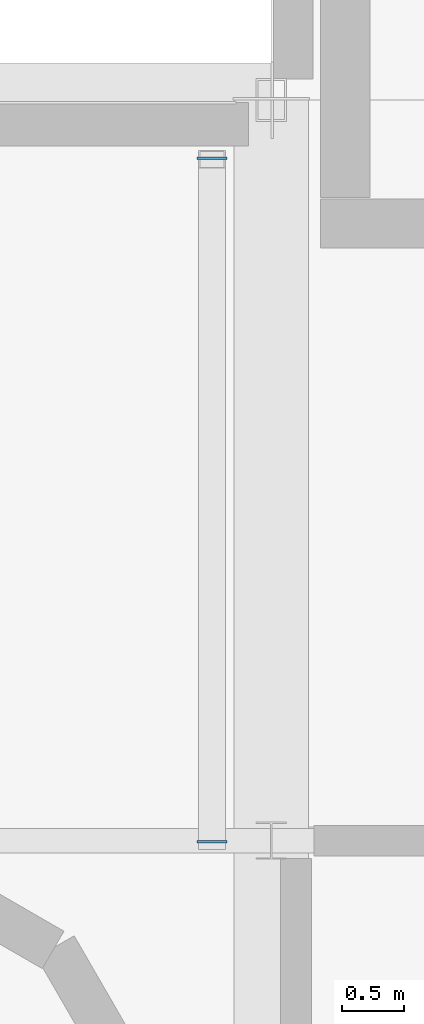
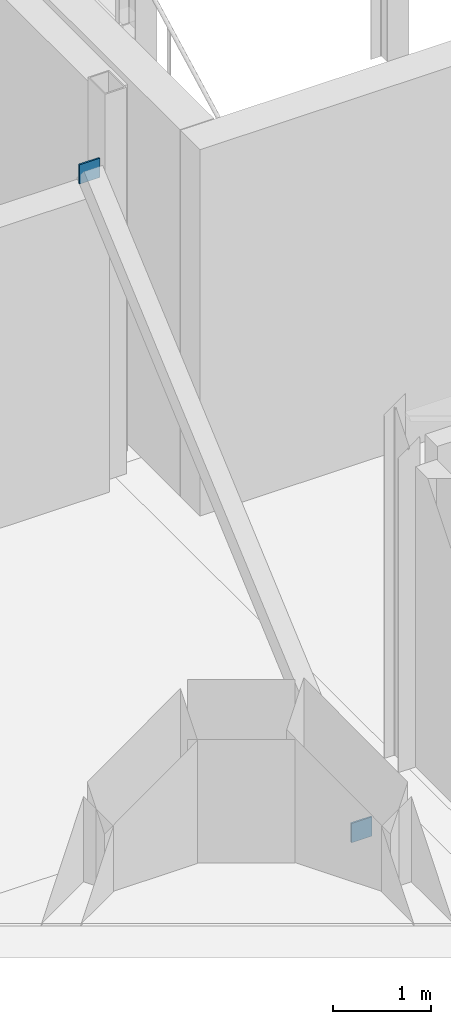
# One storey, part 86 of 102: 2 plates.
"""IFC4 building model written with IfcOpenShell, lengths in metres."""

from ifc_helpers import new_model, si_unit, derived_unit, direction, frame, origin, origin_2d, place, context, subcontext, project, spatial, rectangle, extrude, material, layer, layer_set, type_object, element, save


model = new_model("IFC4")

# Units and contexts
model_context = context("Model", 3, precision=1e-05, world=origin(), true_north=direction((0.0, 1.0)))
body_context = subcontext(model_context, "Body", "Model", "MODEL_VIEW")
ifc_project = project(units=[si_unit("LENGTHUNIT", "METRE"), si_unit("AREAUNIT", "SQUARE_METRE"), si_unit("VOLUMEUNIT", "CUBIC_METRE"), si_unit("PLANEANGLEUNIT", "RADIAN"), si_unit("MASSUNIT", "GRAM", prefix="KILO"), derived_unit("THERMALTRANSMITTANCEUNIT", [(si_unit("POWERUNIT", "WATT"), 1), (si_unit("LENGTHUNIT", "METRE"), -2), (si_unit("THERMODYNAMICTEMPERATUREUNIT", "KELVIN"), -1)])], contexts=[model_context])

# Site, building, storey
site_placement = place(None, origin())
site = spatial("IfcSite", under=ifc_project, at=site_placement, CompositionType="ELEMENT")
building_placement = place(site_placement, origin())
building = spatial("IfcBuilding", under=site, at=building_placement, Name="Nallur Shell Playhouse", CompositionType="ELEMENT")
storey_placement = place(building_placement, frame((0.0, 0.0, 15.0)))
storey = spatial("IfcBuildingStorey", under=building, at=storey_placement, Name="L04", CompositionType="ELEMENT", Elevation=15.0)

# Plates
ifc_material = material(Name="Steel E350", Category="steel")
ifc_layer = layer(ifc_material, 0.02001953125)
ifc_layer_set = layer_set([ifc_layer], Name="Steel E350")
plate_type = type_object("IfcPlateType", Name="PT-ENDCAP-20", PredefinedType="SHEET", material=ifc_layer_set)
for number, where, z_axis, x_axis, name in (
    (1, (118.1201171875, 40.992431640625, -0.78662109375), (0.0, 0.0, 1.0), (1.0, 0.0, 0.0), "Hollow end cap EC-GBD-L04-4-A"),
    (2, (118.1201171875, 46.527587890625, 4.03662109375), (0.0, 0.0, 1.0), (1.0, 0.0, 0.0), "Hollow end cap EC-GBD-L04-4-B"),
):
    element("IfcPlate", number, at=place(storey_placement, frame(where, z_axis=z_axis, x_axis=x_axis)), inside=storey, type_object=plate_type, Name=name, PredefinedType="SHEET", context=body_context, shape_type="SweptSolid", body=[
        extrude(rectangle(XDim=0.239990234375, YDim=0.02001953125, at=origin_2d()), origin(), (0.0, 0.0, 1.0), 0.239990234375),
    ])

save(model, "model.ifc")
